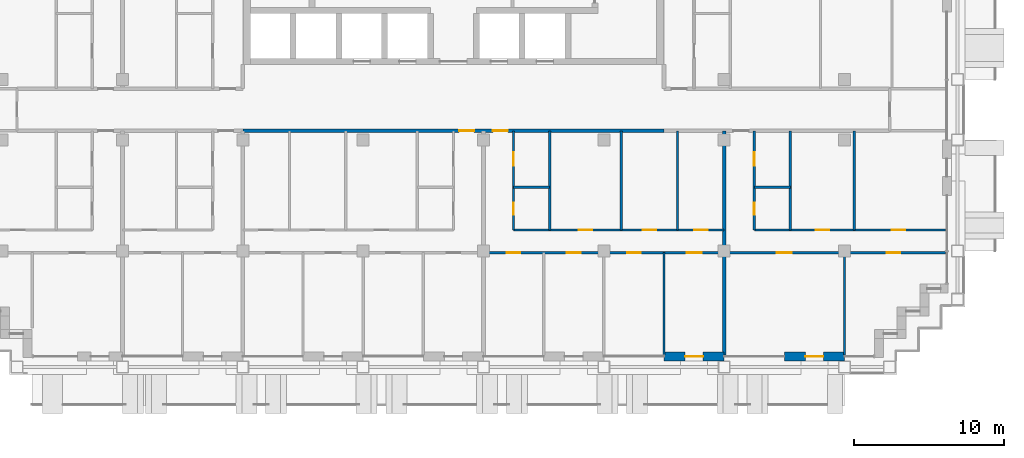
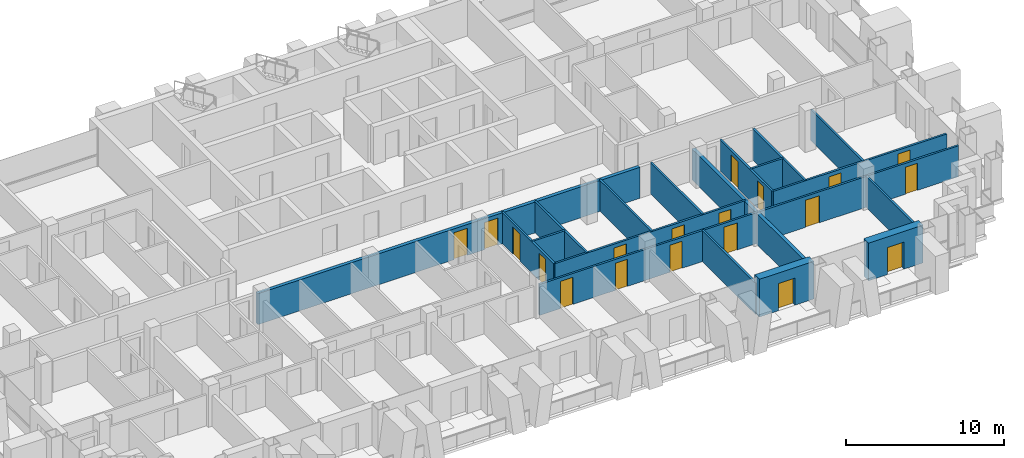
# One storey, part 10 of 18: 19 doors, 19 walls, 19 openings.
"""IFC4 building model written with IfcOpenShell, lengths in metres."""

from ifc_helpers import new_model, si_unit, direction, frame, frame_2d, origin, place, context, subcontext, project, spatial, rectangle, extrude, material, layer, layer_set, type_object, element, fill, save


model = new_model("IFC4")

# Units and contexts
model_context = context("Model", 3, precision=1e-05, world=origin(), true_north=direction((0.0, 1.0)))
body_context = subcontext(model_context, "Body", "Model", "MODEL_VIEW")
ifc_project = project(units=[si_unit("LENGTHUNIT", "METRE"), si_unit("AREAUNIT", "SQUARE_METRE"), si_unit("VOLUMEUNIT", "CUBIC_METRE"), si_unit("PLANEANGLEUNIT", "RADIAN"), si_unit("MASSUNIT", "GRAM", prefix="KILO")], contexts=[model_context])

# Site, building, storey
site_placement = place(None, origin())
site = spatial("IfcSite", under=ifc_project, at=site_placement, CompositionType="ELEMENT")
building_placement = place(site_placement, origin())
building = spatial("IfcBuilding", under=site, at=building_placement, Name="Vidyagriha Tower", CompositionType="ELEMENT")
storey_placement = place(building_placement, frame((0.0, 0.0, 126.199951171875)))
storey = spatial("IfcBuildingStorey", under=building, at=storey_placement, Name="L32", CompositionType="ELEMENT", Elevation=126.199951171875)

# Wall, opening, door
ifc_material_1 = material(Name="Precast concrete C40/50 with brick facing", Category="concrete")
ifc_layer_1 = layer(ifc_material_1, 0.60009765625)
ifc_layer_set_1 = layer_set([ifc_layer_1], Name="Precast concrete C40/50 with brick facing")
wall_type_1 = type_object("IfcWallType", Name="Brick-faced precast wall 600", PredefinedType="STANDARD", material=ifc_layer_set_1)
wall_1_placement = place(storey_placement, frame((14.0, -16.39990234375, 0.0)))
wall_1 = element("IfcWall", 1, at=wall_1_placement, inside=storey, type_object=wall_type_1, Name="Brick door bay wall L32 R23.12", PredefinedType="STANDARD", context=body_context, shape_type="SweptSolid", body=[
    extrude(rectangle(XDim=4.0, YDim=0.60009765625, at=frame_2d((2.0, 0.0))), origin(), (0.0, 0.0, 1.0), 2.920166015625),
])
opening_1_placement = place(wall_1_placement, frame((1.39990234375, 0.0, 0.0)))
opening_1 = element("IfcOpeningElement", 2, at=opening_1_placement, cuts=wall_1, Name="Opening D32-82", PredefinedType="OPENING", context=body_context, shape_type="SweptSolid", body=[
    extrude(rectangle(XDim=1.199951171875, YDim=2.10009765625, at=frame_2d((0.60009765625, 1.050048828125))), frame((0.0, 0.31005859375, 0.0), z_axis=(0.0, -1.0, 0.0), x_axis=(1.0, 0.0, 0.0)), (0.0, 0.0, 1.0), 0.6201171875),
])
ifc_material_2 = material(Name="Aluminium framed glazed sliding door", Category="aluminium")
door_type_1 = type_object("IfcDoorType", Name="Balcony sliding door 1200x2100", OperationType="NOTDEFINED", PredefinedType="DOOR", material=ifc_material_2)
door_1_placement = place(opening_1_placement, origin())
door_1 = element("IfcDoor", 3, at=door_1_placement, inside=storey, type_object=door_type_1, Name="Door D32-82", OperationType="SLIDING_TO_LEFT", OverallHeight=2.10009765625, OverallWidth=1.199951171875, PredefinedType="DOOR", context=body_context, shape_type="SweptSolid", body=[
    extrude(rectangle(XDim=1.199951171875, YDim=2.10009765625, at=frame_2d((0.60009765625, 1.050048828125))), frame((0.0, 0.02490234375, 0.0), z_axis=(0.0, -1.0, 0.0), x_axis=(1.0, 0.0, 0.0)), (0.0, 0.0, 1.0), 0.050048828125),
])
fill(opening_1, door_1)

wall_2_placement = place(storey_placement, frame((22.0, -16.39990234375, 0.0)))
wall_2 = element("IfcWall", 4, at=wall_2_placement, inside=storey, type_object=wall_type_1, Name="Brick door bay wall L32 R23.14", PredefinedType="STANDARD", context=body_context, shape_type="SweptSolid", body=[
    extrude(rectangle(XDim=4.0, YDim=0.60009765625, at=frame_2d((2.0, 0.0))), origin(), (0.0, 0.0, 1.0), 2.920166015625),
])
opening_2_placement = place(wall_2_placement, frame((1.39990234375, 0.0, 0.0)))
opening_2 = element("IfcOpeningElement", 5, at=opening_2_placement, cuts=wall_2, Name="Opening D32-83", PredefinedType="OPENING", context=body_context, shape_type="SweptSolid", body=[
    extrude(rectangle(XDim=1.199951171875, YDim=2.10009765625, at=frame_2d((0.60009765625, 1.050048828125))), frame((0.0, 0.31005859375, 0.0), z_axis=(0.0, -1.0, 0.0), x_axis=(1.0, 0.0, 0.0)), (0.0, 0.0, 1.0), 0.6201171875),
])
door_2_placement = place(opening_2_placement, origin())
door_2 = element("IfcDoor", 6, at=door_2_placement, inside=storey, type_object=door_type_1, Name="Door D32-83", OperationType="SLIDING_TO_LEFT", OverallHeight=2.10009765625, OverallWidth=1.199951171875, PredefinedType="DOOR", context=body_context, shape_type="SweptSolid", body=[
    extrude(rectangle(XDim=1.199951171875, YDim=2.10009765625, at=frame_2d((0.60009765625, 1.050048828125))), frame((0.0, 0.02490234375, 0.0), z_axis=(0.0, -1.0, 0.0), x_axis=(1.0, 0.0, 0.0)), (0.0, 0.0, 1.0), 0.050048828125),
])
fill(opening_2, door_2)

# Wall, openings, doors
ifc_material_3 = material(Name="Fired clay brick masonry", Category="masonry")
ifc_layer_2 = layer(ifc_material_3, 0.25)
ifc_layer_set_2 = layer_set([ifc_layer_2], Name="Fired clay brick masonry")
wall_type_2 = type_object("IfcWallType", Name="Fired clay brick corridor wall 250", PredefinedType="PARTITIONING", material=ifc_layer_set_2)
wall_3_placement = place(storey_placement, frame((14.0, -1.39990234375, 0.0), z_axis=(0.0, 0.0, 1.0), x_axis=(-1.0, 0.0, 0.0)))
wall_3 = element("IfcWall", 7, at=wall_3_placement, inside=storey, type_object=wall_type_2, Name="Wall all-L32-w136", PredefinedType="PARTITIONING", context=body_context, shape_type="SweptSolid", body=[
    extrude(rectangle(XDim=28.0, YDim=0.25, at=frame_2d((14.0, 0.0))), origin(), (0.0, 0.0, 1.0), 2.400146484375),
])
opening_3_placement = place(wall_3_placement, frame((12.617919921875, 0.0, 0.0)))
opening_3 = element("IfcOpeningElement", 8, at=opening_3_placement, cuts=wall_3, Name="Opening D32-35", PredefinedType="OPENING", context=body_context, shape_type="SweptSolid", body=[
    extrude(rectangle(XDim=1.0, YDim=2.10009765625, at=frame_2d((0.5, 1.050048828125))), frame((0.0, 0.135009765625, 0.0), z_axis=(0.0, -1.0, 0.0), x_axis=(1.0, 0.0, 0.0)), (0.0, 0.0, 1.0), 0.27001953125),
])
opening_4_placement = place(wall_3_placement, frame((10.382080078125, 0.0, 0.0)))
opening_4 = element("IfcOpeningElement", 9, at=opening_4_placement, cuts=wall_3, Name="Opening D32-45", PredefinedType="OPENING", context=body_context, shape_type="SweptSolid", body=[
    extrude(rectangle(XDim=1.0, YDim=2.10009765625, at=frame_2d((0.5, 1.050048828125))), frame((0.0, 0.135009765625, 0.0), z_axis=(0.0, -1.0, 0.0), x_axis=(1.0, 0.0, 0.0)), (0.0, 0.0, 1.0), 0.27001953125),
])
ifc_material_4 = material(Name="Fire-rated timber door leaf EI 60", Category="wood")
door_type_2 = type_object("IfcDoorType", Name="Flat entrance fire door 1000x2100", OperationType="NOTDEFINED", PredefinedType="DOOR", material=ifc_material_4)
door_3_placement = place(opening_3_placement, origin())
door_3 = element("IfcDoor", 10, at=door_3_placement, inside=storey, type_object=door_type_2, Name="Door D32-35", OperationType="SINGLE_SWING_LEFT", OverallHeight=2.10009765625, OverallWidth=1.0, PredefinedType="DOOR", context=body_context, shape_type="SweptSolid", body=[
    extrude(rectangle(XDim=1.0, YDim=2.10009765625, at=frame_2d((0.5, 1.050048828125))), frame((0.0, 0.02490234375, 0.0), z_axis=(0.0, -1.0, 0.0), x_axis=(1.0, 0.0, 0.0)), (0.0, 0.0, 1.0), 0.050048828125),
])
fill(opening_3, door_3)
door_4_placement = place(opening_4_placement, origin())
door_4 = element("IfcDoor", 11, at=door_4_placement, inside=storey, type_object=door_type_2, Name="Door D32-45", OperationType="SINGLE_SWING_RIGHT", OverallHeight=2.10009765625, OverallWidth=1.0, PredefinedType="DOOR", context=body_context, shape_type="SweptSolid", body=[
    extrude(rectangle(XDim=1.0, YDim=2.10009765625, at=frame_2d((0.5, 1.050048828125))), frame((0.0, 0.02490234375, 0.0), z_axis=(0.0, -1.0, 0.0), x_axis=(1.0, 0.0, 0.0)), (0.0, 0.0, 1.0), 0.050048828125),
])
fill(opening_4, door_4)

# Walls
ifc_material_5 = material(Name="Fired clay brick masonry", Category="masonry")
ifc_layer_3 = layer(ifc_material_5, 0.25)
ifc_layer_set_3 = layer_set([ifc_layer_3], Name="Fired clay brick masonry")
wall_type_3 = type_object("IfcWallType", Name="Fired clay brick demising wall 250", PredefinedType="PARTITIONING", material=ifc_layer_set_3)
wall_4_placement = place(storey_placement, frame((18.0, -1.39990234375, 0.0), z_axis=(0.0, 0.0, 1.0), x_axis=(0.0, -1.0, 0.0)))
element("IfcWall", 12, at=wall_4_placement, inside=storey, type_object=wall_type_3, Name="Wall all-L32-w082", PredefinedType="PARTITIONING", context=body_context, shape_type="SweptSolid", body=[
    extrude(rectangle(XDim=14.91015625, YDim=0.25, at=frame_2d((7.455078125, 0.0))), origin(), (0.0, 0.0, 1.0), 2.400146484375),
])
ifc_material_6 = material(Name="Gypsum board partition")
ifc_layer_4 = layer(ifc_material_6, 0.14990234375)
ifc_layer_set_4 = layer_set([ifc_layer_4], Name="Gypsum board partition")
wall_type_4 = type_object("IfcWallType", Name="Gypsum board partition 150", PredefinedType="PARTITIONING", material=ifc_layer_set_4)
wall_5_placement = place(storey_placement, frame((6.39990234375, -5.14990234375, 0.0), z_axis=(0.0, 0.0, 1.0), x_axis=(-1.0, 0.0, 0.0)))
element("IfcWall", 13, at=wall_5_placement, inside=storey, type_object=wall_type_4, Name="Wall all-L32-w050", PredefinedType="PARTITIONING", context=body_context, shape_type="SweptSolid", body=[
    extrude(rectangle(XDim=2.39990234375, YDim=0.14990234375, at=frame_2d((1.199951171875, 0.0))), origin(), (0.0, 0.0, 1.0), 2.400146484375),
])
for number, where, z_axis, x_axis, name in (
    (14, (6.39990234375, -1.39990234375, 0.0), (0.0, 0.0, 1.0), (0.0, -1.0, 0.0), "Wall all-L32-w051"),
    (15, (11.14990234375, -1.39990234375, 0.0), (0.0, 0.0, 1.0), (0.0, -1.0, 0.0), "Wall all-L32-w052"),
    (16, (14.89990234375, -1.39990234375, 0.0), (0.0, 0.0, 1.0), (0.0, -1.0, 0.0), "Wall all-L32-w053"),
):
    element("IfcWall", number, at=place(storey_placement, frame(where, z_axis=z_axis, x_axis=x_axis)), inside=storey, type_object=wall_type_4, Name=name, PredefinedType="PARTITIONING", context=body_context, shape_type="SweptSolid", body=[
        extrude(rectangle(XDim=6.60009765625, YDim=0.14990234375, at=frame_2d((3.300048828125, 0.0))), origin(), (0.0, 0.0, 1.0), 2.400146484375),
    ])

# Wall, openings, doors
wall_6_placement = place(storey_placement, frame((4.0, -8.0, 0.0)))
wall_6 = element("IfcWall", 17, at=wall_6_placement, inside=storey, type_object=wall_type_4, Name="Wall all-L32-w054", PredefinedType="PARTITIONING", context=body_context, shape_type="SweptSolid", body=[
    extrude(rectangle(XDim=14.0, YDim=0.14990234375, at=frame_2d((7.0, 0.0))), origin(), (0.0, 0.0, 1.0), 2.400146484375),
])
opening_5_placement = place(wall_6_placement, frame((4.324951171875, 0.0, 0.0)))
opening_5 = element("IfcOpeningElement", 18, at=opening_5_placement, cuts=wall_6, Name="Opening D32-38", PredefinedType="OPENING", context=body_context, shape_type="SweptSolid", body=[
    extrude(rectangle(XDim=0.89990234375, YDim=2.10009765625, at=frame_2d((0.449951171875, 1.050048828125))), frame((0.0, 0.0849609375, 0.0), z_axis=(0.0, -1.0, 0.0), x_axis=(1.0, 0.0, 0.0)), (0.0, 0.0, 1.0), 0.169921875),
])
opening_6_placement = place(wall_6_placement, frame((8.574951171875, 0.0, 0.0)))
opening_6 = element("IfcOpeningElement", 19, at=opening_6_placement, cuts=wall_6, Name="Opening D32-39", PredefinedType="OPENING", context=body_context, shape_type="SweptSolid", body=[
    extrude(rectangle(XDim=0.89990234375, YDim=2.10009765625, at=frame_2d((0.449951171875, 1.050048828125))), frame((0.0, 0.0849609375, 0.0), z_axis=(0.0, -1.0, 0.0), x_axis=(1.0, 0.0, 0.0)), (0.0, 0.0, 1.0), 0.169921875),
])
opening_7_placement = place(wall_6_placement, frame((12.0, 0.0, 0.0)))
opening_7 = element("IfcOpeningElement", 20, at=opening_7_placement, cuts=wall_6, Name="Opening D32-40", PredefinedType="OPENING", context=body_context, shape_type="SweptSolid", body=[
    extrude(rectangle(XDim=0.89990234375, YDim=2.10009765625, at=frame_2d((0.449951171875, 1.050048828125))), frame((0.0, 0.0849609375, 0.0), z_axis=(0.0, -1.0, 0.0), x_axis=(1.0, 0.0, 0.0)), (0.0, 0.0, 1.0), 0.169921875),
])
ifc_material_7 = material(Name="Timber door leaf", Category="wood")
door_type_3 = type_object("IfcDoorType", Name="Room door 900x2100", OperationType="NOTDEFINED", PredefinedType="DOOR", material=ifc_material_7)
door_5_placement = place(opening_5_placement, origin())
door_5 = element("IfcDoor", 21, at=door_5_placement, inside=storey, type_object=door_type_3, Name="Door D32-38", OperationType="SINGLE_SWING_RIGHT", OverallHeight=2.10009765625, OverallWidth=0.89990234375, PredefinedType="DOOR", context=body_context, shape_type="SweptSolid", body=[
    extrude(rectangle(XDim=0.89990234375, YDim=2.10009765625, at=frame_2d((0.449951171875, 1.050048828125))), frame((0.0, 0.02490234375, 0.0), z_axis=(0.0, -1.0, 0.0), x_axis=(1.0, 0.0, 0.0)), (0.0, 0.0, 1.0), 0.050048828125),
])
fill(opening_5, door_5)
door_6_placement = place(opening_6_placement, origin())
door_6 = element("IfcDoor", 22, at=door_6_placement, inside=storey, type_object=door_type_3, Name="Door D32-39", OperationType="SINGLE_SWING_RIGHT", OverallHeight=2.10009765625, OverallWidth=0.89990234375, PredefinedType="DOOR", context=body_context, shape_type="SweptSolid", body=[
    extrude(rectangle(XDim=0.89990234375, YDim=2.10009765625, at=frame_2d((0.449951171875, 1.050048828125))), frame((0.0, 0.02490234375, 0.0), z_axis=(0.0, -1.0, 0.0), x_axis=(1.0, 0.0, 0.0)), (0.0, 0.0, 1.0), 0.050048828125),
])
fill(opening_6, door_6)
door_7_placement = place(opening_7_placement, origin())
door_7 = element("IfcDoor", 23, at=door_7_placement, inside=storey, type_object=door_type_3, Name="Door D32-40", OperationType="SINGLE_SWING_LEFT", OverallHeight=2.10009765625, OverallWidth=0.89990234375, PredefinedType="DOOR", context=body_context, shape_type="SweptSolid", body=[
    extrude(rectangle(XDim=0.89990234375, YDim=2.10009765625, at=frame_2d((0.449951171875, 1.050048828125))), frame((0.0, 0.02490234375, 0.0), z_axis=(0.0, -1.0, 0.0), x_axis=(1.0, 0.0, 0.0)), (0.0, 0.0, 1.0), 0.050048828125),
])
fill(opening_7, door_7)

wall_7_placement = place(storey_placement, frame((18.0, -9.5, 0.0), z_axis=(0.0, 0.0, 1.0), x_axis=(-1.0, 0.0, 0.0)))
wall_7 = element("IfcWall", 24, at=wall_7_placement, inside=storey, type_object=wall_type_4, Name="Wall all-L32-w058", PredefinedType="PARTITIONING", context=body_context, shape_type="SweptSolid", body=[
    extrude(rectangle(XDim=16.0, YDim=0.14990234375, at=frame_2d((8.0, 0.0))), origin(), (0.0, 0.0, 1.0), 2.400146484375),
])
opening_8_placement = place(wall_7_placement, frame((13.550048828125, 0.0, 0.0)))
opening_8 = element("IfcOpeningElement", 25, at=opening_8_placement, cuts=wall_7, Name="Opening D32-41", PredefinedType="OPENING", context=body_context, shape_type="SweptSolid", body=[
    extrude(rectangle(XDim=0.89990234375, YDim=2.10009765625, at=frame_2d((0.449951171875, 1.050048828125))), frame((0.0, 0.0849609375, 0.0), z_axis=(0.0, -1.0, 0.0), x_axis=(1.0, 0.0, 0.0)), (0.0, 0.0, 1.0), 0.169921875),
])
opening_9_placement = place(wall_7_placement, frame((9.550048828125, 0.0, 0.0)))
opening_9 = element("IfcOpeningElement", 26, at=opening_9_placement, cuts=wall_7, Name="Opening D32-42", PredefinedType="OPENING", context=body_context, shape_type="SweptSolid", body=[
    extrude(rectangle(XDim=0.89990234375, YDim=2.10009765625, at=frame_2d((0.449951171875, 1.050048828125))), frame((0.0, 0.0849609375, 0.0), z_axis=(0.0, -1.0, 0.0), x_axis=(1.0, 0.0, 0.0)), (0.0, 0.0, 1.0), 0.169921875),
])
opening_10_placement = place(wall_7_placement, frame((5.550048828125, 0.0, 0.0)))
opening_10 = element("IfcOpeningElement", 27, at=opening_10_placement, cuts=wall_7, Name="Opening D32-43", PredefinedType="OPENING", context=body_context, shape_type="SweptSolid", body=[
    extrude(rectangle(XDim=0.89990234375, YDim=2.10009765625, at=frame_2d((0.449951171875, 1.050048828125))), frame((0.0, 0.0849609375, 0.0), z_axis=(0.0, -1.0, 0.0), x_axis=(1.0, 0.0, 0.0)), (0.0, 0.0, 1.0), 0.169921875),
])
opening_11_placement = place(wall_7_placement, frame((1.5, 0.0, 0.0)))
opening_11 = element("IfcOpeningElement", 28, at=opening_11_placement, cuts=wall_7, Name="Opening D32-44", PredefinedType="OPENING", context=body_context, shape_type="SweptSolid", body=[
    extrude(rectangle(XDim=1.0, YDim=2.10009765625, at=frame_2d((0.5, 1.050048828125))), frame((0.0, 0.0849609375, 0.0), z_axis=(0.0, -1.0, 0.0), x_axis=(1.0, 0.0, 0.0)), (0.0, 0.0, 1.0), 0.169921875),
])
ifc_material_8 = material(Name="Timber door leaf", Category="wood")
door_type_4 = type_object("IfcDoorType", Name="Room door 1000x2100", OperationType="NOTDEFINED", PredefinedType="DOOR", material=ifc_material_8)
door_8_placement = place(opening_11_placement, origin())
door_8 = element("IfcDoor", 29, at=door_8_placement, inside=storey, type_object=door_type_4, Name="Door D32-44", OperationType="SINGLE_SWING_RIGHT", OverallHeight=2.10009765625, OverallWidth=1.0, PredefinedType="DOOR", context=body_context, shape_type="SweptSolid", body=[
    extrude(rectangle(XDim=1.0, YDim=2.10009765625, at=frame_2d((0.5, 1.050048828125))), frame((0.0, 0.02490234375, 0.0), z_axis=(0.0, -1.0, 0.0), x_axis=(1.0, 0.0, 0.0)), (0.0, 0.0, 1.0), 0.050048828125),
])
fill(opening_11, door_8)
door_9_placement = place(opening_8_placement, origin())
door_9 = element("IfcDoor", 30, at=door_9_placement, inside=storey, type_object=door_type_3, Name="Door D32-41", OperationType="SINGLE_SWING_RIGHT", OverallHeight=2.10009765625, OverallWidth=0.89990234375, PredefinedType="DOOR", context=body_context, shape_type="SweptSolid", body=[
    extrude(rectangle(XDim=0.89990234375, YDim=2.10009765625, at=frame_2d((0.449951171875, 1.050048828125))), frame((0.0, 0.02490234375, 0.0), z_axis=(0.0, -1.0, 0.0), x_axis=(1.0, 0.0, 0.0)), (0.0, 0.0, 1.0), 0.050048828125),
])
fill(opening_8, door_9)
door_10_placement = place(opening_9_placement, origin())
door_10 = element("IfcDoor", 31, at=door_10_placement, inside=storey, type_object=door_type_3, Name="Door D32-42", OperationType="SINGLE_SWING_RIGHT", OverallHeight=2.10009765625, OverallWidth=0.89990234375, PredefinedType="DOOR", context=body_context, shape_type="SweptSolid", body=[
    extrude(rectangle(XDim=0.89990234375, YDim=2.10009765625, at=frame_2d((0.449951171875, 1.050048828125))), frame((0.0, 0.02490234375, 0.0), z_axis=(0.0, -1.0, 0.0), x_axis=(1.0, 0.0, 0.0)), (0.0, 0.0, 1.0), 0.050048828125),
])
fill(opening_9, door_10)
door_11_placement = place(opening_10_placement, origin())
door_11 = element("IfcDoor", 32, at=door_11_placement, inside=storey, type_object=door_type_3, Name="Door D32-43", OperationType="SINGLE_SWING_RIGHT", OverallHeight=2.10009765625, OverallWidth=0.89990234375, PredefinedType="DOOR", context=body_context, shape_type="SweptSolid", body=[
    extrude(rectangle(XDim=0.89990234375, YDim=2.10009765625, at=frame_2d((0.449951171875, 1.050048828125))), frame((0.0, 0.02490234375, 0.0), z_axis=(0.0, -1.0, 0.0), x_axis=(1.0, 0.0, 0.0)), (0.0, 0.0, 1.0), 0.050048828125),
])
fill(opening_10, door_11)

# Walls
wall_8_placement = place(storey_placement, frame((14.0, -9.5, 0.0), z_axis=(0.0, 0.0, 1.0), x_axis=(0.0, -1.0, 0.0)))
element("IfcWall", 33, at=wall_8_placement, inside=storey, type_object=wall_type_4, Name="Wall all-L32-w065", PredefinedType="PARTITIONING", context=body_context, shape_type="SweptSolid", body=[
    extrude(rectangle(XDim=6.821044921875, YDim=0.14990234375, at=frame_2d((3.41064453125, 0.0))), origin(), (0.0, 0.0, 1.0), 2.400146484375),
])
wall_9_placement = place(storey_placement, frame((22.39990234375, -5.14990234375, 0.0), z_axis=(0.0, 0.0, 1.0), x_axis=(-1.0, 0.0, 0.0)))
element("IfcWall", 34, at=wall_9_placement, inside=storey, type_object=wall_type_4, Name="Wall all-L32-w071", PredefinedType="PARTITIONING", context=body_context, shape_type="SweptSolid", body=[
    extrude(rectangle(XDim=2.39990234375, YDim=0.14990234375, at=frame_2d((1.199951171875, 0.0))), origin(), (0.0, 0.0, 1.0), 2.400146484375),
])
for number, where, z_axis, x_axis, name in (
    (35, (22.39990234375, -1.39990234375, 0.0), (0.0, 0.0, 1.0), (0.0, -1.0, 0.0), "Wall all-L32-w072"),
    (36, (26.64990234375, -1.39990234375, 0.0), (0.0, 0.0, 1.0), (0.0, -1.0, 0.0), "Wall all-L32-w073"),
):
    element("IfcWall", number, at=place(storey_placement, frame(where, z_axis=z_axis, x_axis=x_axis)), inside=storey, type_object=wall_type_4, Name=name, PredefinedType="PARTITIONING", context=body_context, shape_type="SweptSolid", body=[
        extrude(rectangle(XDim=6.60009765625, YDim=0.14990234375, at=frame_2d((3.300048828125, 0.0))), origin(), (0.0, 0.0, 1.0), 2.400146484375),
    ])

# Wall, openings, doors
wall_10_placement = place(storey_placement, frame((20.0, -8.0, 0.0)))
wall_10 = element("IfcWall", 37, at=wall_10_placement, inside=storey, type_object=wall_type_4, Name="Wall all-L32-w074", PredefinedType="PARTITIONING", context=body_context, shape_type="SweptSolid", body=[
    extrude(rectangle(XDim=12.719970703125, YDim=0.14990234375, at=frame_2d((6.35986328125, 0.0))), origin(), (0.0, 0.0, 1.0), 2.400146484375),
])
opening_12_placement = place(wall_10_placement, frame((4.074951171875, 0.0, 0.0)))
opening_12 = element("IfcOpeningElement", 38, at=opening_12_placement, cuts=wall_10, Name="Opening D32-48", PredefinedType="OPENING", context=body_context, shape_type="SweptSolid", body=[
    extrude(rectangle(XDim=0.89990234375, YDim=2.10009765625, at=frame_2d((0.449951171875, 1.050048828125))), frame((0.0, 0.0849609375, 0.0), z_axis=(0.0, -1.0, 0.0), x_axis=(1.0, 0.0, 0.0)), (0.0, 0.0, 1.0), 0.169921875),
])
opening_13_placement = place(wall_10_placement, frame((9.125, 0.0, 0.0)))
opening_13 = element("IfcOpeningElement", 39, at=opening_13_placement, cuts=wall_10, Name="Opening D32-49", PredefinedType="OPENING", context=body_context, shape_type="SweptSolid", body=[
    extrude(rectangle(XDim=0.89990234375, YDim=2.10009765625, at=frame_2d((0.449951171875, 1.050048828125))), frame((0.0, 0.0849609375, 0.0), z_axis=(0.0, -1.0, 0.0), x_axis=(1.0, 0.0, 0.0)), (0.0, 0.0, 1.0), 0.169921875),
])
door_12_placement = place(opening_12_placement, origin())
door_12 = element("IfcDoor", 40, at=door_12_placement, inside=storey, type_object=door_type_3, Name="Door D32-48", OperationType="SINGLE_SWING_RIGHT", OverallHeight=2.10009765625, OverallWidth=0.89990234375, PredefinedType="DOOR", context=body_context, shape_type="SweptSolid", body=[
    extrude(rectangle(XDim=0.89990234375, YDim=2.10009765625, at=frame_2d((0.449951171875, 1.050048828125))), frame((0.0, 0.02490234375, 0.0), z_axis=(0.0, -1.0, 0.0), x_axis=(1.0, 0.0, 0.0)), (0.0, 0.0, 1.0), 0.050048828125),
])
fill(opening_12, door_12)
door_13_placement = place(opening_13_placement, origin())
door_13 = element("IfcDoor", 41, at=door_13_placement, inside=storey, type_object=door_type_3, Name="Door D32-49", OperationType="SINGLE_SWING_RIGHT", OverallHeight=2.10009765625, OverallWidth=0.89990234375, PredefinedType="DOOR", context=body_context, shape_type="SweptSolid", body=[
    extrude(rectangle(XDim=0.89990234375, YDim=2.10009765625, at=frame_2d((0.449951171875, 1.050048828125))), frame((0.0, 0.02490234375, 0.0), z_axis=(0.0, -1.0, 0.0), x_axis=(1.0, 0.0, 0.0)), (0.0, 0.0, 1.0), 0.050048828125),
])
fill(opening_13, door_13)

wall_11_placement = place(storey_placement, frame((32.719970703125, -9.5, 0.0), z_axis=(0.0, 0.0, 1.0), x_axis=(-1.0, 0.0, 0.0)))
wall_11 = element("IfcWall", 42, at=wall_11_placement, inside=storey, type_object=wall_type_4, Name="Wall all-L32-w077", PredefinedType="PARTITIONING", context=body_context, shape_type="SweptSolid", body=[
    extrude(rectangle(XDim=14.719970703125, YDim=0.14990234375, at=frame_2d((7.35986328125, 0.0))), origin(), (0.0, 0.0, 1.0), 2.400146484375),
])
opening_14_placement = place(wall_11_placement, frame((10.219970703125, 0.0, 0.0)))
opening_14 = element("IfcOpeningElement", 43, at=opening_14_placement, cuts=wall_11, Name="Opening D32-50", PredefinedType="OPENING", context=body_context, shape_type="SweptSolid", body=[
    extrude(rectangle(XDim=1.0, YDim=2.10009765625, at=frame_2d((0.5, 1.050048828125))), frame((0.0, 0.0849609375, 0.0), z_axis=(0.0, -1.0, 0.0), x_axis=(1.0, 0.0, 0.0)), (0.0, 0.0, 1.0), 0.169921875),
])
opening_15_placement = place(wall_11_placement, frame((3.02001953125, 0.0, 0.0)))
opening_15 = element("IfcOpeningElement", 44, at=opening_15_placement, cuts=wall_11, Name="Opening D32-51", PredefinedType="OPENING", context=body_context, shape_type="SweptSolid", body=[
    extrude(rectangle(XDim=0.89990234375, YDim=2.10009765625, at=frame_2d((0.449951171875, 1.050048828125))), frame((0.0, 0.0849609375, 0.0), z_axis=(0.0, -1.0, 0.0), x_axis=(1.0, 0.0, 0.0)), (0.0, 0.0, 1.0), 0.169921875),
])
door_14_placement = place(opening_14_placement, origin())
door_14 = element("IfcDoor", 45, at=door_14_placement, inside=storey, type_object=door_type_4, Name="Door D32-50", OperationType="SINGLE_SWING_RIGHT", OverallHeight=2.10009765625, OverallWidth=1.0, PredefinedType="DOOR", context=body_context, shape_type="SweptSolid", body=[
    extrude(rectangle(XDim=1.0, YDim=2.10009765625, at=frame_2d((0.5, 1.050048828125))), frame((0.0, 0.02490234375, 0.0), z_axis=(0.0, -1.0, 0.0), x_axis=(1.0, 0.0, 0.0)), (0.0, 0.0, 1.0), 0.050048828125),
])
fill(opening_14, door_14)
door_15_placement = place(opening_15_placement, origin())
door_15 = element("IfcDoor", 46, at=door_15_placement, inside=storey, type_object=door_type_3, Name="Door D32-51", OperationType="SINGLE_SWING_RIGHT", OverallHeight=2.10009765625, OverallWidth=0.89990234375, PredefinedType="DOOR", context=body_context, shape_type="SweptSolid", body=[
    extrude(rectangle(XDim=0.89990234375, YDim=2.10009765625, at=frame_2d((0.449951171875, 1.050048828125))), frame((0.0, 0.02490234375, 0.0), z_axis=(0.0, -1.0, 0.0), x_axis=(1.0, 0.0, 0.0)), (0.0, 0.0, 1.0), 0.050048828125),
])
fill(opening_15, door_15)

# Wall
wall_12_placement = place(storey_placement, frame((26.0, -9.5, 0.0), z_axis=(0.0, 0.0, 1.0), x_axis=(0.0, -1.0, 0.0)))
element("IfcWall", 47, at=wall_12_placement, inside=storey, type_object=wall_type_4, Name="Wall all-L32-w080", PredefinedType="PARTITIONING", context=body_context, shape_type="SweptSolid", body=[
    extrude(rectangle(XDim=6.81005859375, YDim=0.14990234375, at=frame_2d((3.405029296875, 0.0))), origin(), (0.0, 0.0, 1.0), 2.400146484375),
])

# Wall, openings, doors
ifc_material_9 = material(Name="Moisture resistant gypsum board partition")
ifc_layer_5 = layer(ifc_material_9, 0.14990234375)
ifc_layer_set_5 = layer_set([ifc_layer_5], Name="Moisture resistant gypsum board partition")
wall_type_5 = type_object("IfcWallType", Name="Gypsum board wet-area partition 150", PredefinedType="PARTITIONING", material=ifc_layer_set_5)
wall_13_placement = place(storey_placement, frame((4.0, -1.39990234375, 0.0), z_axis=(0.0, 0.0, 1.0), x_axis=(0.0, -1.0, 0.0)))
wall_13 = element("IfcWall", 48, at=wall_13_placement, inside=storey, type_object=wall_type_5, Name="Wall all-L32-w047", PredefinedType="PARTITIONING", context=body_context, shape_type="SweptSolid", body=[
    extrude(rectangle(XDim=6.60009765625, YDim=0.14990234375, at=frame_2d((3.300048828125, 0.0))), origin(), (0.0, 0.0, 1.0), 2.400146484375),
])
opening_16_placement = place(wall_13_placement, frame((1.425048828125, 0.0, 0.0)))
opening_16 = element("IfcOpeningElement", 49, at=opening_16_placement, cuts=wall_13, Name="Opening D32-36", PredefinedType="OPENING", context=body_context, shape_type="SweptSolid", body=[
    extrude(rectangle(XDim=0.89990234375, YDim=2.10009765625, at=frame_2d((0.449951171875, 1.050048828125))), frame((0.0, 0.0849609375, 0.0), z_axis=(0.0, -1.0, 0.0), x_axis=(1.0, 0.0, 0.0)), (0.0, 0.0, 1.0), 0.169921875),
])
opening_17_placement = place(wall_13_placement, frame((4.77490234375, 0.0, 0.0)))
opening_17 = element("IfcOpeningElement", 50, at=opening_17_placement, cuts=wall_13, Name="Opening D32-37", PredefinedType="OPENING", context=body_context, shape_type="SweptSolid", body=[
    extrude(rectangle(XDim=0.800048828125, YDim=2.10009765625, at=frame_2d((0.39990234375, 1.050048828125))), frame((0.0, 0.0849609375, 0.0), z_axis=(0.0, -1.0, 0.0), x_axis=(1.0, 0.0, 0.0)), (0.0, 0.0, 1.0), 0.169921875),
])
ifc_material_10 = material(Name="Timber door leaf", Category="wood")
door_type_5 = type_object("IfcDoorType", Name="Bathroom door 800x2100", OperationType="NOTDEFINED", PredefinedType="DOOR", material=ifc_material_10)
door_16_placement = place(opening_17_placement, origin())
door_16 = element("IfcDoor", 51, at=door_16_placement, inside=storey, type_object=door_type_5, Name="Door D32-37", OperationType="SINGLE_SWING_RIGHT", OverallHeight=2.10009765625, OverallWidth=0.800048828125, PredefinedType="DOOR", context=body_context, shape_type="SweptSolid", body=[
    extrude(rectangle(XDim=0.800048828125, YDim=2.10009765625, at=frame_2d((0.39990234375, 1.050048828125))), frame((0.0, 0.02490234375, 0.0), z_axis=(0.0, -1.0, 0.0), x_axis=(1.0, 0.0, 0.0)), (0.0, 0.0, 1.0), 0.050048828125),
])
fill(opening_17, door_16)
ifc_material_11 = material(Name="Timber door leaf", Category="wood")
door_type_6 = type_object("IfcDoorType", Name="Kitchen door 900x2100", OperationType="NOTDEFINED", PredefinedType="DOOR", material=ifc_material_11)
door_17_placement = place(opening_16_placement, origin())
door_17 = element("IfcDoor", 52, at=door_17_placement, inside=storey, type_object=door_type_6, Name="Door D32-36", OperationType="SINGLE_SWING_LEFT", OverallHeight=2.10009765625, OverallWidth=0.89990234375, PredefinedType="DOOR", context=body_context, shape_type="SweptSolid", body=[
    extrude(rectangle(XDim=0.89990234375, YDim=2.10009765625, at=frame_2d((0.449951171875, 1.050048828125))), frame((0.0, 0.02490234375, 0.0), z_axis=(0.0, -1.0, 0.0), x_axis=(1.0, 0.0, 0.0)), (0.0, 0.0, 1.0), 0.050048828125),
])
fill(opening_16, door_17)

wall_14_placement = place(storey_placement, frame((20.0, -1.39990234375, 0.0), z_axis=(0.0, 0.0, 1.0), x_axis=(0.0, -1.0, 0.0)))
wall_14 = element("IfcWall", 53, at=wall_14_placement, inside=storey, type_object=wall_type_5, Name="Wall all-L32-w068", PredefinedType="PARTITIONING", context=body_context, shape_type="SweptSolid", body=[
    extrude(rectangle(XDim=6.60009765625, YDim=0.14990234375, at=frame_2d((3.300048828125, 0.0))), origin(), (0.0, 0.0, 1.0), 2.400146484375),
])
opening_18_placement = place(wall_14_placement, frame((1.425048828125, 0.0, 0.0)))
opening_18 = element("IfcOpeningElement", 54, at=opening_18_placement, cuts=wall_14, Name="Opening D32-46", PredefinedType="OPENING", context=body_context, shape_type="SweptSolid", body=[
    extrude(rectangle(XDim=0.89990234375, YDim=2.10009765625, at=frame_2d((0.449951171875, 1.050048828125))), frame((0.0, 0.0849609375, 0.0), z_axis=(0.0, -1.0, 0.0), x_axis=(1.0, 0.0, 0.0)), (0.0, 0.0, 1.0), 0.169921875),
])
opening_19_placement = place(wall_14_placement, frame((4.77490234375, 0.0, 0.0)))
opening_19 = element("IfcOpeningElement", 55, at=opening_19_placement, cuts=wall_14, Name="Opening D32-47", PredefinedType="OPENING", context=body_context, shape_type="SweptSolid", body=[
    extrude(rectangle(XDim=0.800048828125, YDim=2.10009765625, at=frame_2d((0.39990234375, 1.050048828125))), frame((0.0, 0.0849609375, 0.0), z_axis=(0.0, -1.0, 0.0), x_axis=(1.0, 0.0, 0.0)), (0.0, 0.0, 1.0), 0.169921875),
])
door_18_placement = place(opening_19_placement, origin())
door_18 = element("IfcDoor", 56, at=door_18_placement, inside=storey, type_object=door_type_5, Name="Door D32-47", OperationType="SINGLE_SWING_RIGHT", OverallHeight=2.10009765625, OverallWidth=0.800048828125, PredefinedType="DOOR", context=body_context, shape_type="SweptSolid", body=[
    extrude(rectangle(XDim=0.800048828125, YDim=2.10009765625, at=frame_2d((0.39990234375, 1.050048828125))), frame((0.0, 0.02490234375, 0.0), z_axis=(0.0, -1.0, 0.0), x_axis=(1.0, 0.0, 0.0)), (0.0, 0.0, 1.0), 0.050048828125),
])
fill(opening_19, door_18)
door_19_placement = place(opening_18_placement, origin())
door_19 = element("IfcDoor", 57, at=door_19_placement, inside=storey, type_object=door_type_6, Name="Door D32-46", OperationType="SINGLE_SWING_LEFT", OverallHeight=2.10009765625, OverallWidth=0.89990234375, PredefinedType="DOOR", context=body_context, shape_type="SweptSolid", body=[
    extrude(rectangle(XDim=0.89990234375, YDim=2.10009765625, at=frame_2d((0.449951171875, 1.050048828125))), frame((0.0, 0.02490234375, 0.0), z_axis=(0.0, -1.0, 0.0), x_axis=(1.0, 0.0, 0.0)), (0.0, 0.0, 1.0), 0.050048828125),
])
fill(opening_18, door_19)

save(model, "model.ifc")
